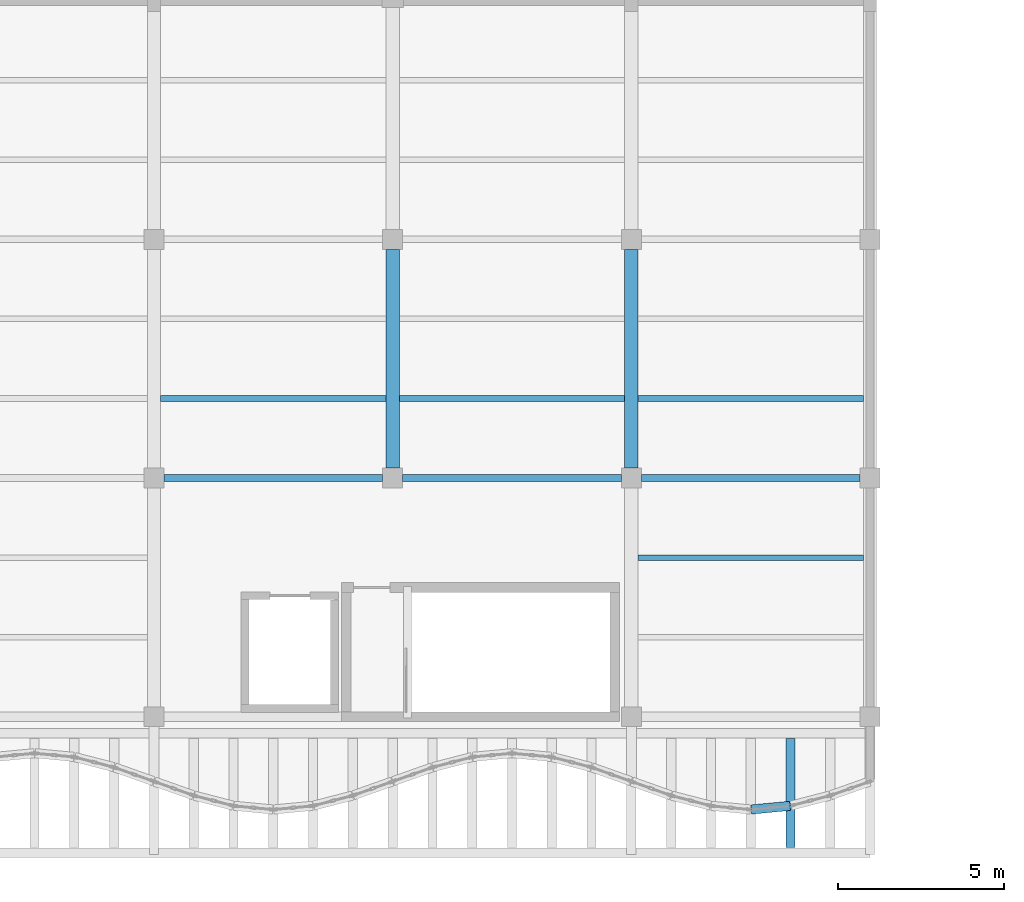
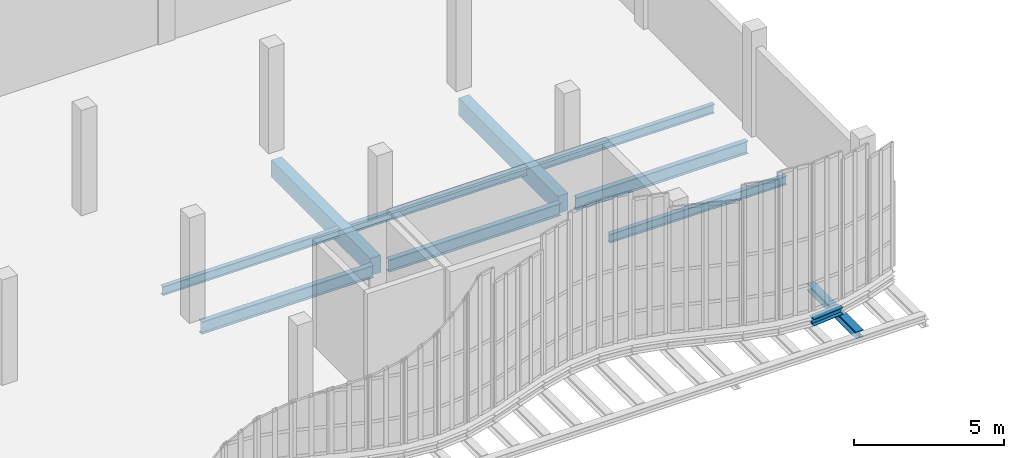
# One storey, part 26 of 76: 11 beams.
"""IFC4 building model written with IfcOpenShell, lengths in metres."""

from ifc_helpers import new_model, si_unit, direction, frame, origin, origin_2d, place, context, subcontext, project, spatial, rectangle, i_section, extrude, material, material_profile, profile_set, type_object, element, save


model = new_model("IFC4")

# Units and contexts
model_context = context("Model", 3, precision=1e-05, world=origin(), true_north=direction((0.0, 1.0)))
body_context = subcontext(model_context, "Body", "Model", "MODEL_VIEW")
ifc_project = project(units=[si_unit("LENGTHUNIT", "METRE"), si_unit("AREAUNIT", "SQUARE_METRE"), si_unit("VOLUMEUNIT", "CUBIC_METRE"), si_unit("PLANEANGLEUNIT", "RADIAN"), si_unit("MASSUNIT", "GRAM", prefix="KILO"), si_unit("THERMODYNAMICTEMPERATUREUNIT", "KELVIN"), si_unit("POWERUNIT", "WATT")], contexts=[model_context])

# Site, building, storey
site_placement = place(None, origin())
site = spatial("IfcSite", under=ifc_project, at=site_placement, CompositionType="ELEMENT")
building_placement = place(site_placement, origin())
building = spatial("IfcBuilding", under=site, at=building_placement, Name="Kaldorven Railside Theatre", CompositionType="ELEMENT")
storey_placement = place(building_placement, frame((0.0, 0.0, 14.39990234375)))
storey = spatial("IfcBuildingStorey", under=building, at=storey_placement, Name="L03", CompositionType="ELEMENT", Elevation=14.39990234375)

# Beams
ifc_material_1 = material(Name="Steel S355", Category="steel")
ifc_material_profile_1 = material_profile(ifc_material_1, i_section(OverallWidth=0.280029296875, OverallDepth=0.280029296875, WebThickness=0.010498046875, FlangeThickness=0.01806640625, at=origin_2d()), Name="HEB 280")
ifc_profile_set_1 = profile_set([ifc_material_profile_1], Name="Steel S355")
beam_type_1 = type_object("IfcBeamType", Name="BM-HEB280", PredefinedType="SPANDREL", material=ifc_profile_set_1)
beam_1_placement = place(storey_placement, frame((119.614990234375, 16.4013671875, -0.419921875), z_axis=(0.99552436473, 0.094505233873, 0.0), x_axis=(-0.094505233873, 0.99552436473, 0.0)))
element("IfcBeam", 1, at=beam_1_placement, inside=storey, type_object=beam_type_1, Name="L03 Sinusoidal Flute Edge Spandrel FSB-214", PredefinedType="SPANDREL", context=body_context, shape_type="SweptSolid", body=[
    extrude(i_section(OverallWidth=0.280029296875, OverallDepth=0.280029296875, WebThickness=0.010498046875, FlangeThickness=0.01806640625, at=origin_2d()), origin(), (0.0, 0.0, 1.0), 1.175537109375),
])
beam_2_placement = place(storey_placement, frame((120.800048828125, 15.260009765625, -0.699951171875), z_axis=(0.0, 1.0, 0.0), x_axis=(-1.0, 0.0, 0.0)))
element("IfcBeam", 2, at=beam_2_placement, inside=storey, type_object=beam_type_1, Name="L03 Sinusoidal Diaphragm Rib Outrigger FOB-M215", PredefinedType="SPANDREL", context=body_context, shape_type="SweptSolid", body=[
    extrude(i_section(OverallWidth=0.280029296875, OverallDepth=0.280029296875, WebThickness=0.010498046875, FlangeThickness=0.01806640625, at=origin_2d()), origin(), (0.0, 0.0, 1.0), 3.280029296875),
])
ifc_material_profile_2 = material_profile(ifc_material_1, i_section(OverallWidth=0.169921875, OverallDepth=0.360107421875, WebThickness=0.008056640625, FlangeThickness=0.0126953125, at=origin_2d()), Name="IPE 360")
ifc_profile_set_2 = profile_set([ifc_material_profile_2], Name="Steel S355")
beam_type_2 = type_object("IfcBeamType", Name="BM-IPE360", PredefinedType="JOIST", material=ifc_profile_set_2)
for number, where, z_axis, x_axis, name in (
    (3, (116.199951171875, 24.0, -0.4599609375), (1.0, 0.0, 0.0), (0.0, 1.0, 0.0), "L03 Secondary Floor Joist JG-L03-116-0240"),
    (4, (101.800048828125, 28.800048828125, -0.4599609375), (1.0, 0.0, 0.0), (0.0, 1.0, 0.0), "L03 Secondary Floor Joist JG-L03-101-0288"),
    (5, (109.0, 28.800048828125, -0.4599609375), (1.0, 0.0, 0.0), (0.0, 1.0, 0.0), "L03 Secondary Floor Joist JG-L03-108-0288"),
    (6, (116.199951171875, 28.800048828125, -0.4599609375), (1.0, 0.0, 0.0), (0.0, 1.0, 0.0), "L03 Secondary Floor Joist JG-L03-116-0288"),
):
    element("IfcBeam", number, at=place(storey_placement, frame(where, z_axis=z_axis, x_axis=x_axis)), inside=storey, type_object=beam_type_2, Name=name, PredefinedType="JOIST", context=body_context, shape_type="SweptSolid", body=[
        extrude(i_section(OverallWidth=0.169921875, OverallDepth=0.360107421875, WebThickness=0.008056640625, FlangeThickness=0.0126953125, at=origin_2d()), origin(), (0.0, 0.0, 1.0), 6.800048828125),
    ])
ifc_material_profile_3 = material_profile(ifc_material_1, i_section(OverallWidth=0.199951171875, OverallDepth=0.5, WebThickness=0.01025390625, FlangeThickness=0.01611328125, at=origin_2d()), Name="IPE 500")
ifc_profile_set_3 = profile_set([ifc_material_profile_3], Name="Steel S355")
beam_type_3 = type_object("IfcBeamType", Name="BM-IPE500", PredefinedType="BEAM", material=ifc_profile_set_3)
beam_3_placement = place(storey_placement, frame((101.89990234375, 26.39990234375, -0.52978515625), z_axis=(1.0, 0.0, 0.0), x_axis=(0.0, 1.0, 0.0)))
element("IfcBeam", 7, at=beam_3_placement, inside=storey, type_object=beam_type_3, Name="L03 Girder BGX-L03-101-026", PredefinedType="BEAM", context=body_context, shape_type="SweptSolid", body=[
    extrude(i_section(OverallWidth=0.199951171875, OverallDepth=0.5, WebThickness=0.01025390625, FlangeThickness=0.01611328125, at=origin_2d()), origin(), (0.0, 0.0, 1.0), 6.60009765625),
])
for number, where, z_axis, x_axis, name in (
    (8, (109.10009765625, 26.39990234375, -0.52978515625), (1.0, 0.0, 0.0), (0.0, 1.0, 0.0), "L03 Girder BGX-L03-108-026"),
    (9, (116.300048828125, 26.39990234375, -0.52978515625), (1.0, 0.0, 0.0), (0.0, 1.0, 0.0), "L03 Girder BGX-L03-116-026"),
):
    element("IfcBeam", number, at=place(storey_placement, frame(where, z_axis=z_axis, x_axis=x_axis)), inside=storey, type_object=beam_type_3, Name=name, PredefinedType="BEAM", context=body_context, shape_type="SweptSolid", body=[
        extrude(i_section(OverallWidth=0.199951171875, OverallDepth=0.5, WebThickness=0.01025390625, FlangeThickness=0.01611328125, at=origin_2d()), origin(), (0.0, 0.0, 1.0), 6.599853515625),
    ])
ifc_material_2 = material(Name="Concrete C40/50", Category="concrete")
ifc_material_profile_4 = material_profile(ifc_material_2, rectangle(XDim=0.39990234375, YDim=0.699951171875, at=origin_2d()), Name="RC 400x700")
ifc_profile_set_4 = profile_set([ifc_material_profile_4], Name="Concrete C40/50")
beam_type_4 = type_object("IfcBeamType", Name="BM-RC400x700", PredefinedType="BEAM", material=ifc_profile_set_4)
for number, where, z_axis, x_axis, name in (
    (10, (108.800048828125, 26.699951171875, -0.6298828125), (0.0, 1.0, 0.0), (-1.0, 0.0, 0.0), "L03 Girder BGY-L03-108-026-72"),
    (11, (116.0, 26.699951171875, -0.6298828125), (0.0, 1.0, 0.0), (-1.0, 0.0, 0.0), "L03 Girder BGY-L03-116-026-72"),
):
    element("IfcBeam", number, at=place(storey_placement, frame(where, z_axis=z_axis, x_axis=x_axis)), inside=storey, type_object=beam_type_4, Name=name, PredefinedType="BEAM", context=body_context, shape_type="SweptSolid", body=[
        extrude(rectangle(XDim=0.39990234375, YDim=0.699951171875, at=origin_2d()), origin(), (0.0, 0.0, 1.0), 6.60009765625),
    ])

save(model, "model.ifc")
